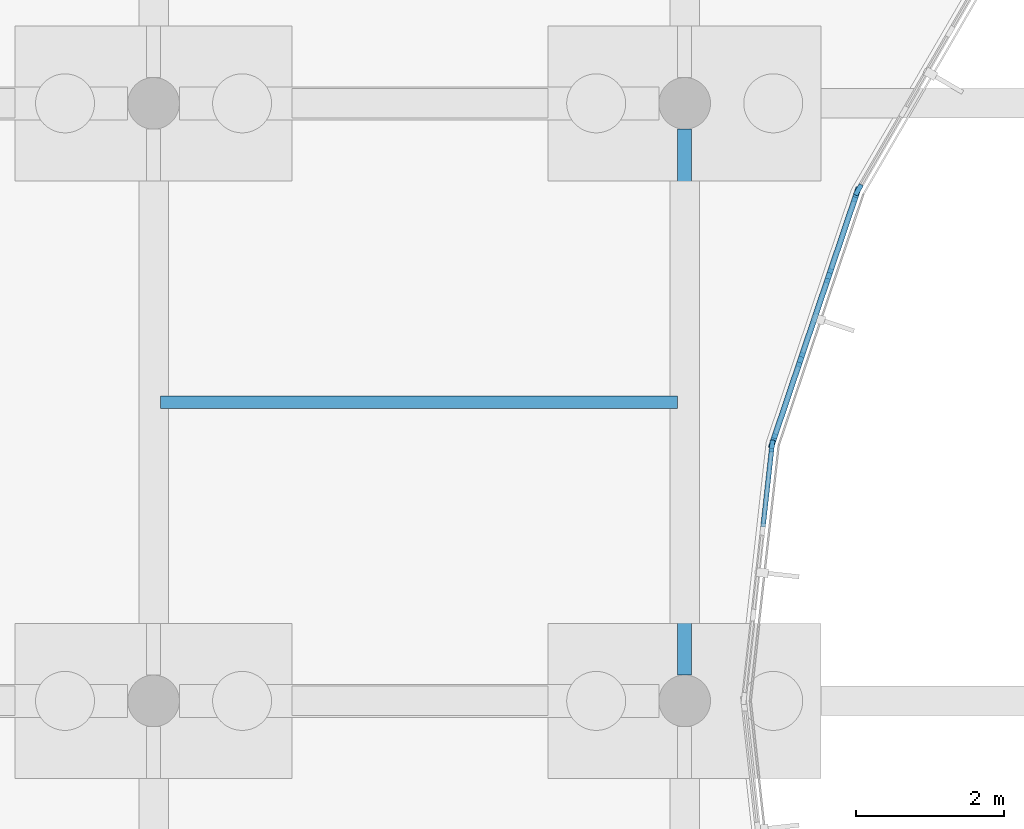
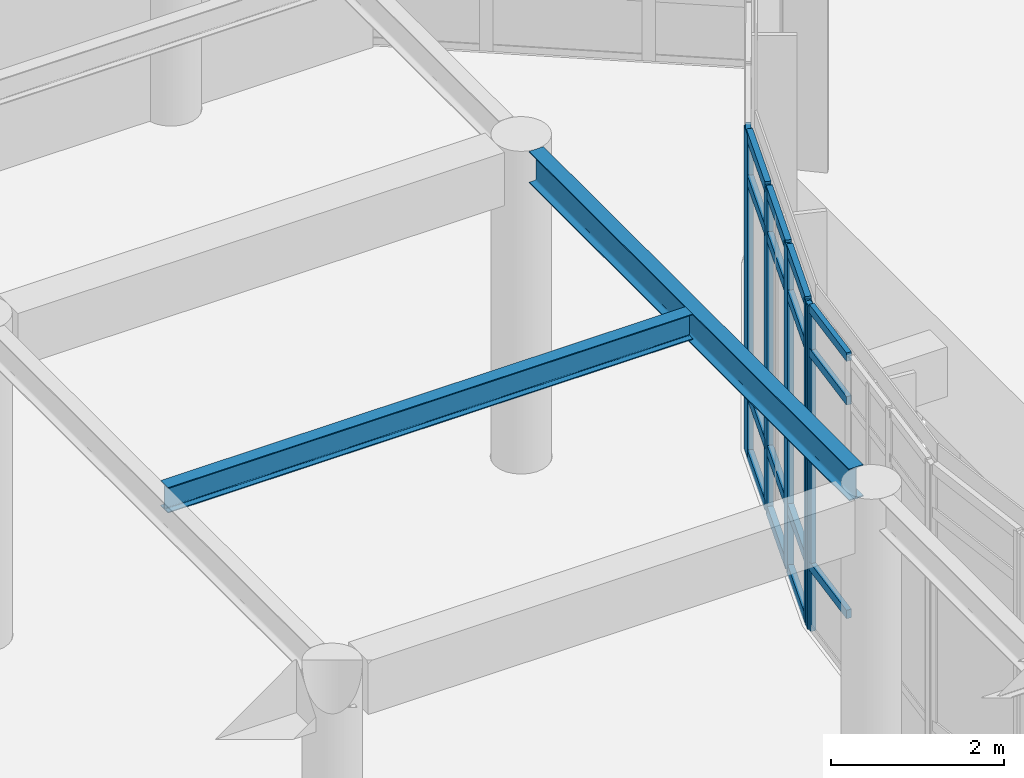
# One storey, part 18 of 103: 21 members, 2 beams, 3 elements without a shape of their own.
"""IFC4 building model written with IfcOpenShell, lengths in metres."""

from ifc_helpers import new_model, si_unit, direction, frame, origin, origin_2d, place, context, subcontext, project, spatial, rectangle, i_section, extrude, material, layer, layer_set, material_profile, profile_set, type_object, element, aggregate, save


model = new_model("IFC4")

# Units and contexts
model_context = context("Model", 3, precision=1e-05, world=origin(), true_north=direction((0.0, 1.0)))
body_context = subcontext(model_context, "Body", "Model", "MODEL_VIEW")
ifc_project = project(units=[si_unit("LENGTHUNIT", "METRE"), si_unit("AREAUNIT", "SQUARE_METRE"), si_unit("VOLUMEUNIT", "CUBIC_METRE"), si_unit("PLANEANGLEUNIT", "RADIAN"), si_unit("MASSUNIT", "GRAM", prefix="KILO")], contexts=[model_context])

# Site, building, storey
site_placement = place(None, origin())
site = spatial("IfcSite", under=ifc_project, at=site_placement, CompositionType="ELEMENT")
building_placement = place(site_placement, origin())
building = spatial("IfcBuilding", under=site, at=building_placement, Name="Namkhue Oval Health Centre", CompositionType="ELEMENT")
storey_placement = place(building_placement, origin())
storey = spatial("IfcBuildingStorey", under=building, at=storey_placement, Name="L00", CompositionType="ELEMENT", Elevation=0.0)

# Curtain wall, member
ifc_material_1 = material(Name="Anodised aluminium EN AW-6063 T6", Category="aluminium")
ifc_layer_1 = layer(ifc_material_1, 0.159912109375)
ifc_layer_set_1 = layer_set([ifc_layer_1], Name="Anodised aluminium EN AW-6063 T6")
curtain_wall_type_1 = type_object("IfcCurtainWallType", Name="UNITISED CURTAIN WALL M1200", PredefinedType="NOTDEFINED", material=ifc_layer_set_1)
curtain_wall_1_placement = place(storey_placement, origin())
curtain_wall_1 = element("IfcCurtainWall", 1, at=curtain_wall_1_placement, inside=storey, type_object=curtain_wall_type_1, Name="Volume V1 L00 Unitised Curtain Wall 7", PredefinedType="NOTDEFINED")
ifc_material_profile_1 = material_profile(ifc_material_1, rectangle(XDim=0.06494140625, YDim=0.159912109375, at=origin_2d()), Name="ALU 65x160")
ifc_profile_set_1 = profile_set([ifc_material_profile_1], Name="Anodised aluminium EN AW-6063 T6")
member_type_1 = type_object("IfcMemberType", Name="CURTAIN WALL MULLION 65X160", PredefinedType="MULLION", material=ifc_profile_set_1)
member_1_placement = place(storey_placement, frame((65.9833984375, 62.855712890625, 0.0), z_axis=(0.0, 0.0, 1.0), x_axis=(-0.993901097292, 0.110275150425, 0.0)))
member_1 = element("IfcMember", 2, at=member_1_placement, type_object=member_type_1, Name="CW-01 mullion 4", PredefinedType="MULLION", context=body_context, shape_type="SweptSolid", body=[
    extrude(rectangle(XDim=0.06494140625, YDim=0.159912109375, at=origin_2d()), origin(), (0.0, 0.0, 1.0), 4.56494140625),
])

ifc_layer_2 = layer(ifc_material_1, 0.159912109375)
ifc_layer_set_2 = layer_set([ifc_layer_2], Name="Anodised aluminium EN AW-6063 T6")
curtain_wall_type_2 = type_object("IfcCurtainWallType", Name="UNITISED CURTAIN WALL M1500", PredefinedType="NOTDEFINED", material=ifc_layer_set_2)
curtain_wall_2_placement = place(storey_placement, origin())
curtain_wall_2 = element("IfcCurtainWall", 3, at=curtain_wall_2_placement, inside=storey, type_object=curtain_wall_type_2, Name="Volume V1 L00 Unitised Curtain Wall 9", PredefinedType="NOTDEFINED")
member_2_placement = place(storey_placement, frame((67.154296875, 66.328125, 0.0), z_axis=(0.0, 0.0, 1.0), x_axis=(-0.865008156752, 0.501757798896, 0.0)))
member_2 = element("IfcMember", 4, at=member_2_placement, type_object=member_type_1, Name="CW-03 mullion 1", PredefinedType="MULLION", context=body_context, shape_type="SweptSolid", body=[
    extrude(rectangle(XDim=0.06494140625, YDim=0.159912109375, at=origin_2d()), origin(), (0.0, 0.0, 1.0), 4.56494140625),
])
aggregate(curtain_wall_2, [member_2])

# Curtain wall, members
ifc_layer_3 = layer(ifc_material_1, 0.159912109375)
ifc_layer_set_3 = layer_set([ifc_layer_3], Name="Anodised aluminium EN AW-6063 T6")
curtain_wall_type_3 = type_object("IfcCurtainWallType", Name="UNITISED CURTAIN WALL M1350", PredefinedType="NOTDEFINED", material=ifc_layer_set_3)
curtain_wall_3_placement = place(storey_placement, origin())
curtain_wall_3 = element("IfcCurtainWall", 5, at=curtain_wall_3_placement, inside=storey, type_object=curtain_wall_type_3, Name="Volume V1 L00 Unitised Curtain Wall 8", PredefinedType="NOTDEFINED")
ifc_material_profile_2 = material_profile(ifc_material_1, rectangle(XDim=0.074951171875, YDim=0.199951171875, at=origin_2d()), Name="ALU 75x200")
ifc_profile_set_2 = profile_set([ifc_material_profile_2], Name="Anodised aluminium EN AW-6063 T6")
member_type_2 = type_object("IfcMemberType", Name="CURTAIN WALL MULLION 75X200", PredefinedType="MULLION", material=ifc_profile_set_2)
member_3_placement = place(storey_placement, frame((65.9990234375, 62.923583984375, 0.0), z_axis=(0.0, 0.0, 1.0), x_axis=(-0.947538547184, 0.319641520458, 0.0)))
member_3 = element("IfcMember", 6, at=member_3_placement, type_object=member_type_2, Name="CW-02 mullion 1", PredefinedType="MULLION", context=body_context, shape_type="SweptSolid", body=[
    extrude(rectangle(XDim=0.074951171875, YDim=0.199951171875, at=origin_2d()), origin(), (0.0, 0.0, 1.0), 4.56494140625),
])
member_4_placement = place(storey_placement, frame((66.37060546875, 64.025390625, 0.0), z_axis=(0.0, 0.0, 1.0), x_axis=(-0.947538547184, 0.319641520458, 0.0)))
member_4 = element("IfcMember", 7, at=member_4_placement, type_object=member_type_2, Name="CW-02 mullion 2", PredefinedType="MULLION", context=body_context, shape_type="SweptSolid", body=[
    extrude(rectangle(XDim=0.074951171875, YDim=0.199951171875, at=origin_2d()), origin(), (0.0, 0.0, 1.0), 4.56494140625),
])
member_5_placement = place(storey_placement, frame((66.75439453125, 65.16259765625, 0.0), z_axis=(0.0, 0.0, 1.0), x_axis=(-0.947538547184, 0.319641520458, 0.0)))
member_5 = element("IfcMember", 8, at=member_5_placement, type_object=member_type_2, Name="CW-02 mullion 3", PredefinedType="MULLION", context=body_context, shape_type="SweptSolid", body=[
    extrude(rectangle(XDim=0.074951171875, YDim=0.199951171875, at=origin_2d()), origin(), (0.0, 0.0, 1.0), 4.56494140625),
])
member_6_placement = place(storey_placement, frame((67.1259765625, 66.264404296875, 0.0), z_axis=(0.0, 0.0, 1.0), x_axis=(-0.947538547184, 0.319641520458, 0.0)))
member_6 = element("IfcMember", 9, at=member_6_placement, type_object=member_type_2, Name="CW-02 mullion 4", PredefinedType="MULLION", context=body_context, shape_type="SweptSolid", body=[
    extrude(rectangle(XDim=0.074951171875, YDim=0.199951171875, at=origin_2d()), origin(), (0.0, 0.0, 1.0), 4.56494140625),
])

# Member
ifc_material_profile_3 = material_profile(ifc_material_1, rectangle(XDim=0.06494140625, YDim=0.1201171875, at=origin_2d()), Name="ALU 65x120")
ifc_profile_set_3 = profile_set([ifc_material_profile_3], Name="Anodised aluminium EN AW-6063 T6")
member_type_3 = type_object("IfcMemberType", Name="CURTAIN WALL TRANSOM 65X120", PredefinedType="USERDEFINED", material=ifc_profile_set_3)
member_7_placement = place(storey_placement, frame((65.861572265625, 61.757568359375, 0.89990234375), z_axis=(0.11018166495, 0.993911465227, 0.0), x_axis=(-0.993911465227, 0.11018166495, 0.0)))
member_7 = element("IfcMember", 10, at=member_7_placement, type_object=member_type_3, Name="CW-01 transom 3.2", ObjectType="TRANSOM", PredefinedType="USERDEFINED", context=body_context, shape_type="SweptSolid", body=[
    extrude(rectangle(XDim=0.06494140625, YDim=0.1201171875, at=origin_2d()), origin(), (0.0, 0.0, 1.0), 1.072509765625),
])

member_8_placement = place(storey_placement, frame((65.861572265625, 61.757568359375, 3.9150390625), z_axis=(0.11018166495, 0.993911465227, 0.0), x_axis=(-0.993911465227, 0.11018166495, 0.0)))
member_8 = element("IfcMember", 11, at=member_8_placement, type_object=member_type_3, Name="CW-01 transom 3.3", ObjectType="TRANSOM", PredefinedType="USERDEFINED", context=body_context, shape_type="SweptSolid", body=[
    extrude(rectangle(XDim=0.06494140625, YDim=0.1201171875, at=origin_2d()), origin(), (0.0, 0.0, 1.0), 1.072509765625),
])

member_9_placement = place(storey_placement, frame((65.861572265625, 61.757568359375, 4.532470703125), z_axis=(0.11018166495, 0.993911465227, 0.0), x_axis=(-0.993911465227, 0.11018166495, 0.0)))
member_9 = element("IfcMember", 12, at=member_9_placement, type_object=member_type_3, Name="CW-01 transom 3.4", ObjectType="TRANSOM", PredefinedType="USERDEFINED", context=body_context, shape_type="SweptSolid", body=[
    extrude(rectangle(XDim=0.06494140625, YDim=0.1201171875, at=origin_2d()), origin(), (0.0, 0.0, 1.0), 1.072509765625),
])

aggregate(curtain_wall_1, [member_1, member_7, member_8, member_9])

ifc_material_profile_4 = material_profile(ifc_material_1, rectangle(XDim=0.074951171875, YDim=0.14990234375, at=origin_2d()), Name="ALU 75x150")
ifc_profile_set_4 = profile_set([ifc_material_profile_4], Name="Anodised aluminium EN AW-6063 T6")
member_type_4 = type_object("IfcMemberType", Name="CURTAIN WALL TRANSOM 75X150", PredefinedType="USERDEFINED", material=ifc_profile_set_4)
member_10_placement = place(storey_placement, frame((66.010986328125, 62.958984375, 0.03759765625), z_axis=(0.31959226653, 0.947555161019, 0.0), x_axis=(-0.947555161019, 0.31959226653, 0.0)))
member_10 = element("IfcMember", 13, at=member_10_placement, type_object=member_type_4, Name="CW-02 transom 1.1", ObjectType="TRANSOM", PredefinedType="USERDEFINED", context=body_context, shape_type="SweptSolid", body=[
    extrude(rectangle(XDim=0.074951171875, YDim=0.14990234375, at=origin_2d()), origin(), (0.0, 0.0, 1.0), 1.087890625),
])

member_11_placement = place(storey_placement, frame((66.010986328125, 62.958984375, 0.89990234375), z_axis=(0.31959226653, 0.947555161019, 0.0), x_axis=(-0.947555161019, 0.31959226653, 0.0)))
member_11 = element("IfcMember", 14, at=member_11_placement, type_object=member_type_4, Name="CW-02 transom 1.2", ObjectType="TRANSOM", PredefinedType="USERDEFINED", context=body_context, shape_type="SweptSolid", body=[
    extrude(rectangle(XDim=0.074951171875, YDim=0.14990234375, at=origin_2d()), origin(), (0.0, 0.0, 1.0), 1.087890625),
])

member_12_placement = place(storey_placement, frame((66.010986328125, 62.958984375, 3.9150390625), z_axis=(0.31959226653, 0.947555161019, 0.0), x_axis=(-0.947555161019, 0.31959226653, 0.0)))
member_12 = element("IfcMember", 15, at=member_12_placement, type_object=member_type_4, Name="CW-02 transom 1.3", ObjectType="TRANSOM", PredefinedType="USERDEFINED", context=body_context, shape_type="SweptSolid", body=[
    extrude(rectangle(XDim=0.074951171875, YDim=0.14990234375, at=origin_2d()), origin(), (0.0, 0.0, 1.0), 1.087890625),
])

member_13_placement = place(storey_placement, frame((66.010986328125, 62.958984375, 4.527587890625), z_axis=(0.31959226653, 0.947555161019, 0.0), x_axis=(-0.947555161019, 0.31959226653, 0.0)))
member_13 = element("IfcMember", 16, at=member_13_placement, type_object=member_type_4, Name="CW-02 transom 1.4", ObjectType="TRANSOM", PredefinedType="USERDEFINED", context=body_context, shape_type="SweptSolid", body=[
    extrude(rectangle(XDim=0.074951171875, YDim=0.14990234375, at=origin_2d()), origin(), (0.0, 0.0, 1.0), 1.087890625),
])

member_14_placement = place(storey_placement, frame((66.382568359375, 64.060791015625, 0.03759765625), z_axis=(0.319739696312, 0.947505422993, 0.0), x_axis=(-0.947505422993, 0.319739696312, 0.0)))
member_14 = element("IfcMember", 17, at=member_14_placement, type_object=member_type_4, Name="CW-02 transom 2.1", ObjectType="TRANSOM", PredefinedType="USERDEFINED", context=body_context, shape_type="SweptSolid", body=[
    extrude(rectangle(XDim=0.074951171875, YDim=0.14990234375, at=origin_2d()), origin(), (0.0, 0.0, 1.0), 1.12548828125),
])

member_15_placement = place(storey_placement, frame((66.382568359375, 64.060791015625, 0.89990234375), z_axis=(0.319739696312, 0.947505422993, 0.0), x_axis=(-0.947505422993, 0.319739696312, 0.0)))
member_15 = element("IfcMember", 18, at=member_15_placement, type_object=member_type_4, Name="CW-02 transom 2.2", ObjectType="TRANSOM", PredefinedType="USERDEFINED", context=body_context, shape_type="SweptSolid", body=[
    extrude(rectangle(XDim=0.074951171875, YDim=0.14990234375, at=origin_2d()), origin(), (0.0, 0.0, 1.0), 1.12548828125),
])

member_16_placement = place(storey_placement, frame((66.382568359375, 64.060791015625, 3.9150390625), z_axis=(0.319739696312, 0.947505422993, 0.0), x_axis=(-0.947505422993, 0.319739696312, 0.0)))
member_16 = element("IfcMember", 19, at=member_16_placement, type_object=member_type_4, Name="CW-02 transom 2.3", ObjectType="TRANSOM", PredefinedType="USERDEFINED", context=body_context, shape_type="SweptSolid", body=[
    extrude(rectangle(XDim=0.074951171875, YDim=0.14990234375, at=origin_2d()), origin(), (0.0, 0.0, 1.0), 1.12548828125),
])

member_17_placement = place(storey_placement, frame((66.382568359375, 64.060791015625, 4.527587890625), z_axis=(0.319739696312, 0.947505422993, 0.0), x_axis=(-0.947505422993, 0.319739696312, 0.0)))
member_17 = element("IfcMember", 20, at=member_17_placement, type_object=member_type_4, Name="CW-02 transom 2.4", ObjectType="TRANSOM", PredefinedType="USERDEFINED", context=body_context, shape_type="SweptSolid", body=[
    extrude(rectangle(XDim=0.074951171875, YDim=0.14990234375, at=origin_2d()), origin(), (0.0, 0.0, 1.0), 1.12548828125),
])

member_18_placement = place(storey_placement, frame((66.766357421875, 65.1982421875, 0.03759765625), z_axis=(0.31959226653, 0.947555161019, 0.0), x_axis=(-0.947555161019, 0.31959226653, 0.0)))
member_18 = element("IfcMember", 21, at=member_18_placement, type_object=member_type_4, Name="CW-02 transom 3.1", ObjectType="TRANSOM", PredefinedType="USERDEFINED", context=body_context, shape_type="SweptSolid", body=[
    extrude(rectangle(XDim=0.074951171875, YDim=0.14990234375, at=origin_2d()), origin(), (0.0, 0.0, 1.0), 1.087890625),
])

member_19_placement = place(storey_placement, frame((66.766357421875, 65.1982421875, 0.89990234375), z_axis=(0.31959226653, 0.947555161019, 0.0), x_axis=(-0.947555161019, 0.31959226653, 0.0)))
member_19 = element("IfcMember", 22, at=member_19_placement, type_object=member_type_4, Name="CW-02 transom 3.2", ObjectType="TRANSOM", PredefinedType="USERDEFINED", context=body_context, shape_type="SweptSolid", body=[
    extrude(rectangle(XDim=0.074951171875, YDim=0.14990234375, at=origin_2d()), origin(), (0.0, 0.0, 1.0), 1.087890625),
])

member_20_placement = place(storey_placement, frame((66.766357421875, 65.1982421875, 3.9150390625), z_axis=(0.31959226653, 0.947555161019, 0.0), x_axis=(-0.947555161019, 0.31959226653, 0.0)))
member_20 = element("IfcMember", 23, at=member_20_placement, type_object=member_type_4, Name="CW-02 transom 3.3", ObjectType="TRANSOM", PredefinedType="USERDEFINED", context=body_context, shape_type="SweptSolid", body=[
    extrude(rectangle(XDim=0.074951171875, YDim=0.14990234375, at=origin_2d()), origin(), (0.0, 0.0, 1.0), 1.087890625),
])

member_21_placement = place(storey_placement, frame((66.766357421875, 65.1982421875, 4.527587890625), z_axis=(0.31959226653, 0.947555161019, 0.0), x_axis=(-0.947555161019, 0.31959226653, 0.0)))
member_21 = element("IfcMember", 24, at=member_21_placement, type_object=member_type_4, Name="CW-02 transom 3.4", ObjectType="TRANSOM", PredefinedType="USERDEFINED", context=body_context, shape_type="SweptSolid", body=[
    extrude(rectangle(XDim=0.074951171875, YDim=0.14990234375, at=origin_2d()), origin(), (0.0, 0.0, 1.0), 1.087890625),
])

aggregate(curtain_wall_3, [member_3, member_4, member_5, member_6, member_10, member_11, member_12, member_13, member_14, member_15, member_16, member_17, member_18, member_19, member_20, member_21])

# Beams
ifc_material_2 = material(Name="Structural steel EN 10025-2 S355JR (TCVN 5575:2024)", Category="steel")
ifc_material_profile_5 = material_profile(ifc_material_2, i_section(OverallWidth=0.18994140625, OverallDepth=0.449951171875, WebThickness=0.009521484375, FlangeThickness=0.0146484375, FilletRadius=0.02099609375, at=origin_2d()), Name="IPE 450")
ifc_profile_set_5 = profile_set([ifc_material_profile_5], Name="Structural steel EN 10025-2 S355JR (TCVN 5575:2024)")
beam_type_1 = type_object("IfcBeamType", Name="FLOOR BEAM STEEL IPE 450", PredefinedType="BEAM", material=ifc_profile_set_5)
beam_1_placement = place(storey_placement, frame((64.800048828125, 59.75, 4.340087890625), z_axis=(0.0, 1.0, 0.0), x_axis=(-1.0, 0.0, 0.0)))
element("IfcBeam", 25, at=beam_1_placement, inside=storey, type_object=beam_type_1, Name="Volume V1 L01 Beam 10/J-K", PredefinedType="BEAM", context=body_context, shape_type="SweptSolid", body=[
    extrude(i_section(OverallWidth=0.18994140625, OverallDepth=0.449951171875, WebThickness=0.009521484375, FlangeThickness=0.0146484375, FilletRadius=0.02099609375, at=origin_2d()), origin(), (0.0, 0.0, 1.0), 7.39990234375),
])
ifc_material_profile_6 = material_profile(ifc_material_2, i_section(OverallWidth=0.169921875, OverallDepth=0.360107421875, WebThickness=0.008056640625, FlangeThickness=0.0126953125, FilletRadius=0.01806640625, at=origin_2d()), Name="IPE 360")
ifc_profile_set_6 = profile_set([ifc_material_profile_6], Name="Structural steel EN 10025-2 S355JR (TCVN 5575:2024)")
beam_type_2 = type_object("IfcBeamType", Name="SECONDARY JOIST STEEL IPE 360", PredefinedType="JOIST", material=ifc_profile_set_6)
beam_2_placement = place(storey_placement, frame((57.695068359375, 63.449951171875, 4.385009765625), z_axis=(1.0, 0.0, 0.0), x_axis=(0.0, 1.0, 0.0)))
element("IfcBeam", 26, at=beam_2_placement, inside=storey, type_object=beam_type_2, Name="Volume V1 L01 Secondary Joist 9-10", PredefinedType="JOIST", context=body_context, shape_type="SweptSolid", body=[
    extrude(i_section(OverallWidth=0.169921875, OverallDepth=0.360107421875, WebThickness=0.008056640625, FlangeThickness=0.0126953125, FilletRadius=0.01806640625, at=origin_2d()), origin(), (0.0, 0.0, 1.0), 7.010009765625),
])

save(model, "model.ifc")
